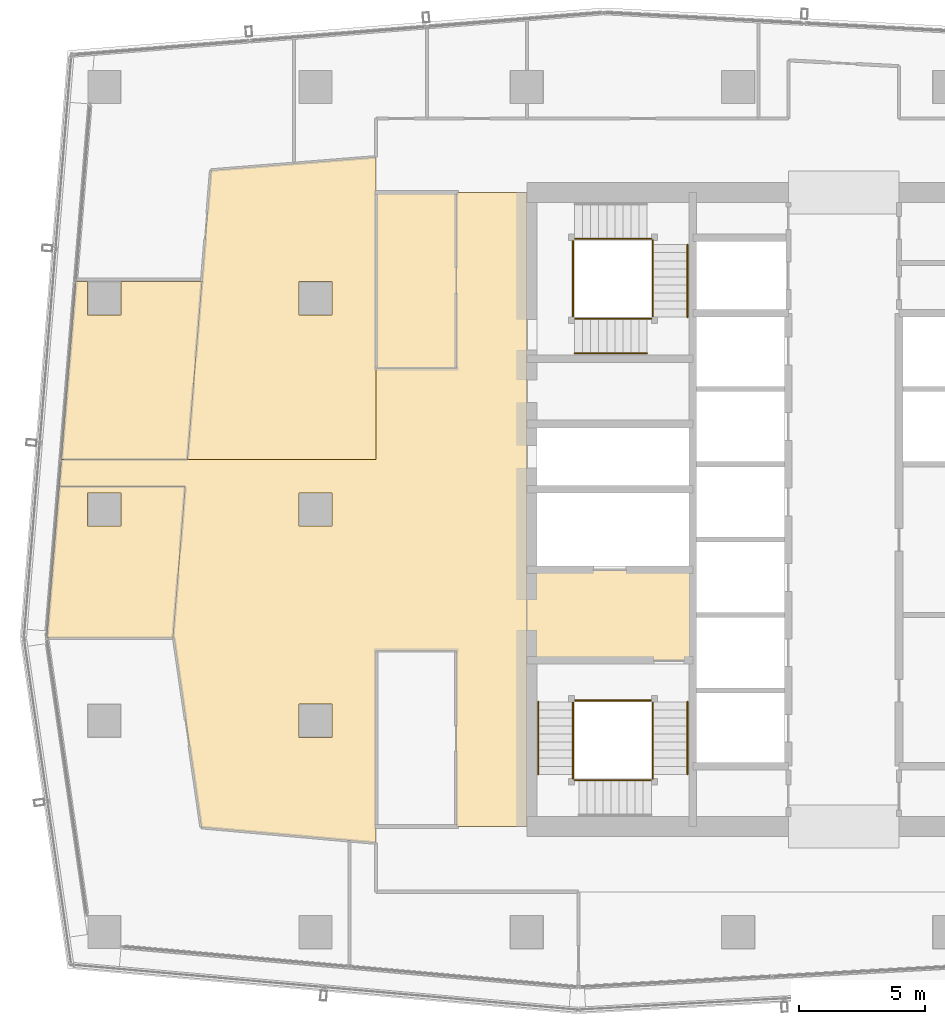
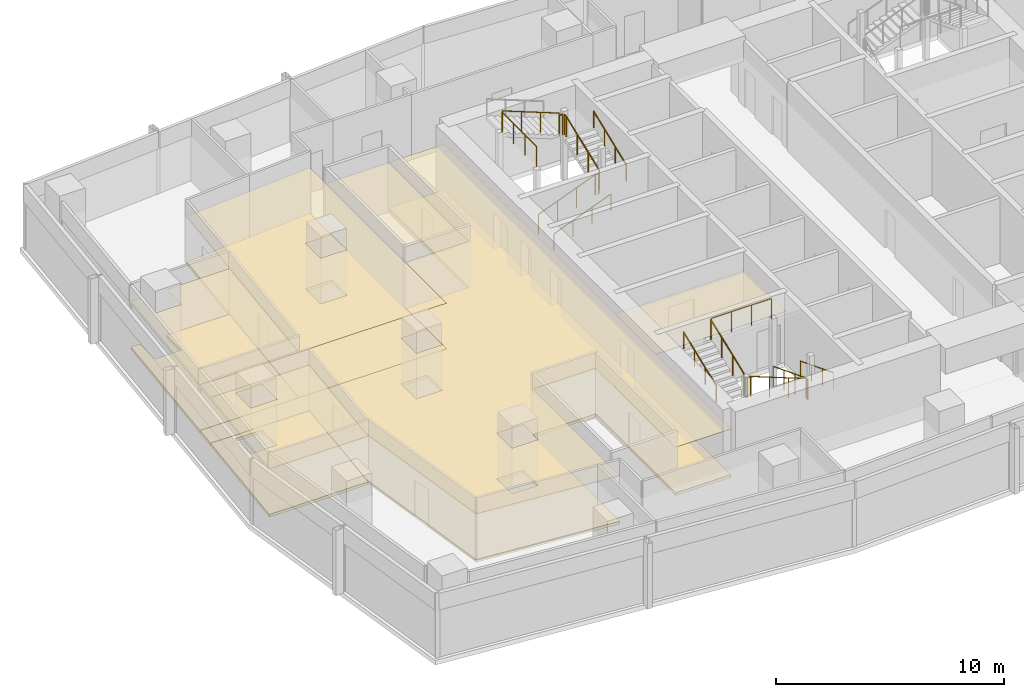
# One storey, part 27 of 29: 18 railings, 10 coverings.
"""IFC4 building model written with IfcOpenShell, lengths in metres."""

from ifc_helpers import new_model, si_unit, direction, frame, origin, origin_2d, place, context, subcontext, project, spatial, polyline, circle, outline, extrude, material, layer, layer_set, type_object, element, save


model = new_model("IFC4")

# Units and contexts
model_context = context("Model", 3, precision=1e-05, world=origin(), true_north=direction((0.0, 1.0)))
body_context = subcontext(model_context, "Body", "Model", "MODEL_VIEW")
ifc_project = project(units=[si_unit("LENGTHUNIT", "METRE"), si_unit("AREAUNIT", "SQUARE_METRE"), si_unit("VOLUMEUNIT", "CUBIC_METRE"), si_unit("PLANEANGLEUNIT", "RADIAN"), si_unit("MASSUNIT", "GRAM", prefix="KILO")], contexts=[model_context])

# Site, building, storey
site_placement = place(None, origin())
site = spatial("IfcSite", under=ifc_project, at=site_placement, CompositionType="ELEMENT")
building_placement = place(site_placement, origin())
building = spatial("IfcBuilding", under=site, at=building_placement, Name="Rekha Terrace Tower", CompositionType="ELEMENT")
storey_placement = place(building_placement, frame((0.0, 0.0, 257.60009765625)))
storey = spatial("IfcBuildingStorey", under=building, at=storey_placement, Name="L65", CompositionType="ELEMENT", Elevation=257.60009765625)

# Coverings
ifc_material_1 = material(Name="Mineral fibre tile in exposed grid", Category="finish")
ifc_layer_1 = layer(ifc_material_1, 0.02001953125)
ifc_layer_set_1 = layer_set([ifc_layer_1], Name="Mineral fibre tile in exposed grid")
covering_type_1 = type_object("IfcCoveringType", Name="CL1 600x1200 office grid ceiling", PredefinedType="CEILING", material=ifc_layer_set_1)
covering_1_placement = place(storey_placement, frame((0.0, 0.0, 2.579833984375)))
element("IfcCovering", 1, at=covering_1_placement, inside=storey, type_object=covering_type_1, Name="Ceiling L65-13", PredefinedType="CEILING", context=body_context, shape_type="SweptSolid", body=[
    extrude(outline(polyline([(7.735107421875, 42.656005859375), (7.26611328125, 42.656005859375), (6.69091796875, 35.590087890625), (11.70703125, 35.590087890625), (12.281982421875, 42.656005859375), (9.06494140625, 42.656005859375), (9.06494140625, 41.3349609375), (7.735107421875, 41.3349609375), (7.735107421875, 42.656005859375)])), origin(), (0.0, 0.0, 1.0), 0.02001953125),
])
covering_2_placement = place(storey_placement, frame((0.0, 0.0, 2.579833984375)))
element("IfcCovering", 2, at=covering_2_placement, inside=storey, type_object=covering_type_1, Name="Ceiling L65-O2", PredefinedType="CEILING", context=body_context, shape_type="SweptSolid", body=[
    extrude(outline(polyline([(12.64306640625, 47.0869140625), (12.281982421875, 42.656005859375), (11.70703125, 35.590087890625), (19.199951171875, 35.590087890625), (19.199951171875, 47.610107421875), (15.93505859375, 47.35009765625), (12.64306640625, 47.0869140625)]), holes=[polyline([(17.465087890625, 41.3349609375), (16.135009765625, 41.3349609375), (16.135009765625, 42.6650390625), (17.465087890625, 42.6650390625), (17.465087890625, 41.3349609375)])]), origin(), (0.0, 0.0, 1.0), 0.02001953125),
])
covering_3_placement = place(storey_placement, frame((0.0, 0.0, 2.579833984375)))
element("IfcCovering", 3, at=covering_3_placement, inside=storey, type_object=covering_type_1, Name="Ceiling L65-14", PredefinedType="CEILING", context=body_context, shape_type="SweptSolid", body=[
    extrude(outline(polyline([(11.1298828125, 28.491943359375), (11.618896484375, 34.509033203125), (6.60302734375, 34.509033203125), (6.113037109375, 28.491943359375), (11.1298828125, 28.491943359375)]), holes=[polyline([(9.06494140625, 34.264892578125), (9.06494140625, 32.93505859375), (7.735107421875, 32.93505859375), (7.735107421875, 34.264892578125), (9.06494140625, 34.264892578125)])]), origin(), (0.0, 0.0, 1.0), 0.02001953125),
])
covering_4_placement = place(storey_placement, frame((0.0, 0.0, 2.579833984375)))
element("IfcCovering", 4, at=covering_4_placement, inside=storey, type_object=covering_type_1, Name="Ceiling L65-O3b", PredefinedType="CEILING", context=body_context, shape_type="SweptSolid", body=[
    extrude(outline(polyline([(11.14501953125, 28.679931640625), (11.173095703125, 28.491943359375), (12.260986328125, 20.9619140625), (18.14990234375, 20.43896484375), (19.199951171875, 20.345947265625), (19.199951171875, 28.0), (22.39990234375, 28.0), (22.39990234375, 21.0), (25.199951171875, 21.0), (25.199951171875, 46.199951171875), (22.39990234375, 46.199951171875), (22.39990234375, 39.199951171875), (19.199951171875, 39.199951171875), (19.199951171875, 35.590087890625), (6.69091796875, 35.590087890625), (6.60302734375, 34.509033203125), (11.618896484375, 34.509033203125), (11.14501953125, 28.679931640625)]), holes=[polyline([(17.465087890625, 25.864990234375), (17.465087890625, 24.534912109375), (16.135009765625, 24.534912109375), (16.135009765625, 25.864990234375), (17.465087890625, 25.864990234375)]), polyline([(17.465087890625, 34.264892578125), (17.465087890625, 32.93505859375), (16.135009765625, 32.93505859375), (16.135009765625, 34.264892578125), (17.465087890625, 34.264892578125)])]), origin(), (0.0, 0.0, 1.0), 0.02001953125),
])
ifc_material_2 = material(Name="Fibre cement board", Category="finish")
ifc_layer_2 = layer(ifc_material_2, 0.014892578125)
ifc_layer_set_2 = layer_set([ifc_layer_2], Name="Fibre cement board")
covering_type_2 = type_object("IfcCoveringType", Name="CL2 moisture-resistant board ceiling", PredefinedType="CEILING", material=ifc_layer_set_2)
covering_5_placement = place(storey_placement, frame((0.0, 0.0, 2.5849609375)))
element("IfcCovering", 5, at=covering_5_placement, inside=storey, type_object=covering_type_2, Name="Ceiling L65-WCF2", PredefinedType="CEILING", context=body_context, shape_type="SweptSolid", body=[
    extrude(outline(polyline([(22.39990234375, 46.199951171875), (19.199951171875, 46.199951171875), (19.199951171875, 39.199951171875), (22.39990234375, 39.199951171875), (22.39990234375, 46.199951171875)])), origin(), (0.0, 0.0, 1.0), 0.014892578125),
])
ifc_material_3 = material(Name="Powder-coated aluminium pan", Category="aluminium")
ifc_layer_3 = layer(ifc_material_3, 0.030029296875)
ifc_layer_set_3 = layer_set([ifc_layer_3], Name="Powder-coated aluminium pan")
covering_type_3 = type_object("IfcCoveringType", Name="CL3 300x1200 metal pan ceiling", PredefinedType="CEILING", material=ifc_layer_set_3)
covering_6_placement = place(storey_placement, frame((0.0, 0.0, 2.56982421875)))
element("IfcCovering", 6, at=covering_6_placement, inside=storey, type_object=covering_type_3, Name="Ceiling L65-FLB1", PredefinedType="CEILING", context=body_context, shape_type="SweptSolid", body=[
    extrude(outline(polyline([(31.800048828125, 31.199951171875), (25.199951171875, 31.199951171875), (25.199951171875, 27.60009765625), (31.800048828125, 27.60009765625), (31.800048828125, 31.199951171875)])), origin(), (0.0, 0.0, 1.0), 0.030029296875),
])

# Railings
ifc_material_4 = material(Name="Stainless steel balustrade", Category="steel")
railing_type_1 = type_object("IfcRailingType", Name="GR1 1100 stair guard", PredefinedType="GUARDRAIL", material=ifc_material_4)
railing_1_placement = place(storey_placement, frame((30.2099609375, 25.949951171875, 0.125)))
element("IfcRailing", 7, at=railing_1_placement, inside=storey, type_object=railing_type_1, Name="Guard ST1 L65 flight 1", PredefinedType="GUARDRAIL", context=body_context, shape_type="SweptSolid", body=[
    extrude(circle(Radius=0.02392578125, at=origin_2d()), frame((0.0, 0.0, 1.076171875), z_axis=(0.0, -0.931452331594, 0.363863372667), x_axis=(1.0, 0.0, 0.0)), (0.0, 0.0, 1.0), 3.091796875),
    extrude(circle(Radius=0.02099609375, at=origin_2d()), origin(), (0.0, 0.0, 1.0), 1.052001953125),
    extrude(circle(Radius=0.02099609375, at=origin_2d()), frame((0.0, -0.9599609375, 0.375)), (0.0, 0.0, 1.0), 1.052001953125),
    extrude(circle(Radius=0.02099609375, at=origin_2d()), frame((0.0, -1.919921875, 0.75)), (0.0, 0.0, 1.0), 1.052001953125),
    extrude(circle(Radius=0.02099609375, at=origin_2d()), frame((0.0, -2.8798828125, 1.125)), (0.0, 0.0, 1.0), 1.052001953125),
])
railing_2_placement = place(storey_placement, frame((30.14990234375, 22.840087890625, 1.375)))
element("IfcRailing", 8, at=railing_2_placement, inside=storey, type_object=railing_type_1, Name="Guard ST1 L65 flight 2", PredefinedType="GUARDRAIL", context=body_context, shape_type="SweptSolid", body=[
    extrude(circle(Radius=0.02392578125, at=origin_2d()), frame((0.0, 0.0, 1.076171875), z_axis=(-0.931452331594, 0.0, 0.363863372667), x_axis=(0.0, -1.0, 0.0)), (0.0, 0.0, 1.0), 3.091796875),
    extrude(circle(Radius=0.02099609375, at=origin_2d()), origin(), (0.0, 0.0, 1.0), 1.052001953125),
    extrude(circle(Radius=0.02099609375, at=origin_2d()), frame((-0.9599609375, 0.0, 0.375)), (0.0, 0.0, 1.0), 1.052001953125),
    extrude(circle(Radius=0.02099609375, at=origin_2d()), frame((-1.919921875, 0.0, 0.75)), (0.0, 0.0, 1.0), 1.052001953125),
    extrude(circle(Radius=0.02099609375, at=origin_2d()), frame((-2.8798828125, 0.0, 1.125)), (0.0, 0.0, 1.0), 1.052001953125),
])
railing_3_placement = place(storey_placement, frame((27.0400390625, 23.070068359375, 2.625)))
element("IfcRailing", 9, at=railing_3_placement, inside=storey, type_object=railing_type_1, Name="Guard ST1 L65 flight 3", PredefinedType="GUARDRAIL", context=body_context, shape_type="SweptSolid", body=[
    extrude(circle(Radius=0.02392578125, at=origin_2d()), frame((0.0, 0.0, 1.076171875), z_axis=(0.0, 0.931452331594, 0.363863372667), x_axis=(-1.0, 0.0, 0.0)), (0.0, 0.0, 1.0), 3.091796875),
    extrude(circle(Radius=0.02099609375, at=origin_2d()), origin(), (0.0, 0.0, 1.0), 1.052001953125),
    extrude(circle(Radius=0.02099609375, at=origin_2d()), frame((0.0, 0.9599609375, 0.375)), (0.0, 0.0, 1.0), 1.052001953125),
    extrude(circle(Radius=0.02099609375, at=origin_2d()), frame((0.0, 1.919921875, 0.75)), (0.0, 0.0, 1.0), 1.052001953125),
    extrude(circle(Radius=0.02099609375, at=origin_2d()), frame((0.0, 2.8798828125, 1.125)), (0.0, 0.0, 1.0), 1.052001953125),
])
railing_4_placement = place(storey_placement, frame((30.2099609375, 23.070068359375, 1.25)))
element("IfcRailing", 10, at=railing_4_placement, inside=storey, type_object=railing_type_1, Name="Guard ST1 L65 landing 1", PredefinedType="GUARDRAIL", context=body_context, shape_type="SweptSolid", body=[
    extrude(circle(Radius=0.02392578125, at=origin_2d()), frame((0.0, 0.0, 1.076171875), z_axis=(0.0, -1.0, 0.0), x_axis=(1.0, 0.0, 0.0)), (0.0, 0.0, 1.0), 0.170166015625),
    extrude(circle(Radius=0.02099609375, at=origin_2d()), origin(), (0.0, 0.0, 1.0), 1.052001953125),
    extrude(circle(Radius=0.02099609375, at=origin_2d()), frame((0.0, -0.170166015625, 0.0)), (0.0, 0.0, 1.0), 1.052001953125),
])
railing_5_placement = place(storey_placement, frame((27.27001953125, 22.840087890625, 2.5)))
element("IfcRailing", 11, at=railing_5_placement, inside=storey, type_object=railing_type_1, Name="Guard ST1 L65 landing 2", PredefinedType="GUARDRAIL", context=body_context, shape_type="SweptSolid", body=[
    extrude(circle(Radius=0.02392578125, at=origin_2d()), frame((0.0, 0.0, 1.076171875), z_axis=(-1.0, 0.0, 0.0), x_axis=(0.0, -1.0, 0.0)), (0.0, 0.0, 1.0), 0.169921875),
    extrude(circle(Radius=0.02099609375, at=origin_2d()), origin(), (0.0, 0.0, 1.0), 1.052001953125),
    extrude(circle(Radius=0.02099609375, at=origin_2d()), frame((-0.169921875, 0.0, 0.0)), (0.0, 0.0, 1.0), 1.052001953125),
])
railing_6_placement = place(storey_placement, frame((27.0400390625, 23.070068359375, 2.5)))
element("IfcRailing", 12, at=railing_6_placement, inside=storey, type_object=railing_type_1, Name="Guard ST1 L65 landing 3", PredefinedType="GUARDRAIL", context=body_context, shape_type="SweptSolid", body=[
    extrude(circle(Radius=0.02392578125, at=origin_2d()), frame((0.0, 0.0, 1.076171875), z_axis=(0.0, -1.0, 0.0), x_axis=(1.0, 0.0, 0.0)), (0.0, 0.0, 1.0), 0.170166015625),
    extrude(circle(Radius=0.02099609375, at=origin_2d()), origin(), (0.0, 0.0, 1.0), 1.052001953125),
    extrude(circle(Radius=0.02099609375, at=origin_2d()), frame((0.0, -0.170166015625, 0.0)), (0.0, 0.0, 1.0), 1.052001953125),
])
railing_7_placement = place(storey_placement, frame((30.14990234375, 26.010009765625, 3.75)))
element("IfcRailing", 13, at=railing_7_placement, inside=storey, type_object=railing_type_1, Name="Guard ST1 L65 landing 4", PredefinedType="GUARDRAIL", context=body_context, shape_type="SweptSolid", body=[
    extrude(circle(Radius=0.02392578125, at=origin_2d()), frame((0.0, 0.0, 1.076171875), z_axis=(-1.0, 0.0, 0.0), x_axis=(0.0, -1.0, 0.0)), (0.0, 0.0, 1.0), 3.0498046875),
    extrude(circle(Radius=0.02099609375, at=origin_2d()), origin(), (0.0, 0.0, 1.0), 1.052001953125),
    extrude(circle(Radius=0.02099609375, at=origin_2d()), frame((-1.0166015625, 0.0, 0.0)), (0.0, 0.0, 1.0), 1.052001953125),
    extrude(circle(Radius=0.02099609375, at=origin_2d()), frame((-2.033203125, 0.0, 0.0)), (0.0, 0.0, 1.0), 1.052001953125),
    extrude(circle(Radius=0.02099609375, at=origin_2d()), frame((-3.0498046875, 0.0, 0.0)), (0.0, 0.0, 1.0), 1.052001953125),
])
railing_8_placement = place(storey_placement, frame((27.10009765625, 41.18994140625, 0.125)))
element("IfcRailing", 14, at=railing_8_placement, inside=storey, type_object=railing_type_1, Name="Guard ST4 L65 flight 1", PredefinedType="GUARDRAIL", context=body_context, shape_type="SweptSolid", body=[
    extrude(circle(Radius=0.02392578125, at=origin_2d()), frame((0.0, 0.0, 1.076171875), z_axis=(0.931452331594, 0.0, 0.363863372667), x_axis=(0.0, 1.0, 0.0)), (0.0, 0.0, 1.0), 3.091796875),
    extrude(circle(Radius=0.02099609375, at=origin_2d()), origin(), (0.0, 0.0, 1.0), 1.052001953125),
    extrude(circle(Radius=0.02099609375, at=origin_2d()), frame((0.9599609375, 0.0, 0.375)), (0.0, 0.0, 1.0), 1.052001953125),
    extrude(circle(Radius=0.02099609375, at=origin_2d()), frame((1.919921875, 0.0, 0.75)), (0.0, 0.0, 1.0), 1.052001953125),
    extrude(circle(Radius=0.02099609375, at=origin_2d()), frame((2.8798828125, 0.0, 1.125)), (0.0, 0.0, 1.0), 1.052001953125),
])
railing_9_placement = place(storey_placement, frame((30.2099609375, 41.25, 1.375)))
element("IfcRailing", 15, at=railing_9_placement, inside=storey, type_object=railing_type_1, Name="Guard ST4 L65 flight 2", PredefinedType="GUARDRAIL", context=body_context, shape_type="SweptSolid", body=[
    extrude(circle(Radius=0.02392578125, at=origin_2d()), frame((0.0, 0.0, 1.076171875), z_axis=(0.0, 0.931452331594, 0.363863372667), x_axis=(-1.0, 0.0, 0.0)), (0.0, 0.0, 1.0), 3.091796875),
    extrude(circle(Radius=0.02099609375, at=origin_2d()), origin(), (0.0, 0.0, 1.0), 1.052001953125),
    extrude(circle(Radius=0.02099609375, at=origin_2d()), frame((0.0, 0.9599609375, 0.375)), (0.0, 0.0, 1.0), 1.052001953125),
    extrude(circle(Radius=0.02099609375, at=origin_2d()), frame((0.0, 1.919921875, 0.75)), (0.0, 0.0, 1.0), 1.052001953125),
    extrude(circle(Radius=0.02099609375, at=origin_2d()), frame((0.0, 2.8798828125, 1.125)), (0.0, 0.0, 1.0), 1.052001953125),
])
railing_10_placement = place(storey_placement, frame((29.97998046875, 44.360107421875, 2.625)))
element("IfcRailing", 16, at=railing_10_placement, inside=storey, type_object=railing_type_1, Name="Guard ST4 L65 flight 3", PredefinedType="GUARDRAIL", context=body_context, shape_type="SweptSolid", body=[
    extrude(circle(Radius=0.02392578125, at=origin_2d()), frame((0.0, 0.0, 1.076171875), z_axis=(-0.931452331594, 0.0, 0.363863372667), x_axis=(0.0, -1.0, 0.0)), (0.0, 0.0, 1.0), 3.091796875),
    extrude(circle(Radius=0.02099609375, at=origin_2d()), origin(), (0.0, 0.0, 1.0), 1.052001953125),
    extrude(circle(Radius=0.02099609375, at=origin_2d()), frame((-0.9599609375, 0.0, 0.375)), (0.0, 0.0, 1.0), 1.052001953125),
    extrude(circle(Radius=0.02099609375, at=origin_2d()), frame((-1.919921875, 0.0, 0.75)), (0.0, 0.0, 1.0), 1.052001953125),
    extrude(circle(Radius=0.02099609375, at=origin_2d()), frame((-2.8798828125, 0.0, 1.125)), (0.0, 0.0, 1.0), 1.052001953125),
])
railing_11_placement = place(storey_placement, frame((29.97998046875, 41.18994140625, 1.25)))
element("IfcRailing", 17, at=railing_11_placement, inside=storey, type_object=railing_type_1, Name="Guard ST4 L65 landing 1", PredefinedType="GUARDRAIL", context=body_context, shape_type="SweptSolid", body=[
    extrude(circle(Radius=0.02392578125, at=origin_2d()), frame((0.0, 0.0, 1.076171875), z_axis=(1.0, 0.0, 0.0), x_axis=(0.0, 1.0, 0.0)), (0.0, 0.0, 1.0), 0.169921875),
    extrude(circle(Radius=0.02099609375, at=origin_2d()), origin(), (0.0, 0.0, 1.0), 1.052001953125),
    extrude(circle(Radius=0.02099609375, at=origin_2d()), frame((0.169921875, 0.0, 0.0)), (0.0, 0.0, 1.0), 1.052001953125),
])
railing_12_placement = place(storey_placement, frame((30.2099609375, 44.1298828125, 2.5)))
element("IfcRailing", 18, at=railing_12_placement, inside=storey, type_object=railing_type_1, Name="Guard ST4 L65 landing 2", PredefinedType="GUARDRAIL", context=body_context, shape_type="SweptSolid", body=[
    extrude(circle(Radius=0.02392578125, at=origin_2d()), frame((0.0, 0.0, 1.076171875), z_axis=(0.0, 1.0, 0.0), x_axis=(-1.0, 0.0, 0.0)), (0.0, 0.0, 1.0), 0.170166015625),
    extrude(circle(Radius=0.02099609375, at=origin_2d()), origin(), (0.0, 0.0, 1.0), 1.052001953125),
    extrude(circle(Radius=0.02099609375, at=origin_2d()), frame((0.0, 0.170166015625, 0.0)), (0.0, 0.0, 1.0), 1.052001953125),
])
railing_13_placement = place(storey_placement, frame((29.97998046875, 44.360107421875, 2.5)))
element("IfcRailing", 19, at=railing_13_placement, inside=storey, type_object=railing_type_1, Name="Guard ST4 L65 landing 3", PredefinedType="GUARDRAIL", context=body_context, shape_type="SweptSolid", body=[
    extrude(circle(Radius=0.02392578125, at=origin_2d()), frame((0.0, 0.0, 1.076171875), z_axis=(1.0, 0.0, 0.0), x_axis=(0.0, 1.0, 0.0)), (0.0, 0.0, 1.0), 0.169921875),
    extrude(circle(Radius=0.02099609375, at=origin_2d()), origin(), (0.0, 0.0, 1.0), 1.052001953125),
    extrude(circle(Radius=0.02099609375, at=origin_2d()), frame((0.169921875, 0.0, 0.0)), (0.0, 0.0, 1.0), 1.052001953125),
])
railing_14_placement = place(storey_placement, frame((27.0400390625, 41.25, 3.75)))
element("IfcRailing", 20, at=railing_14_placement, inside=storey, type_object=railing_type_1, Name="Guard ST4 L65 landing 4", PredefinedType="GUARDRAIL", context=body_context, shape_type="SweptSolid", body=[
    extrude(circle(Radius=0.02392578125, at=origin_2d()), frame((0.0, 0.0, 1.076171875), z_axis=(0.0, 1.0, 0.0), x_axis=(-1.0, 0.0, 0.0)), (0.0, 0.0, 1.0), 3.050048828125),
    extrude(circle(Radius=0.02099609375, at=origin_2d()), origin(), (0.0, 0.0, 1.0), 1.052001953125),
    extrude(circle(Radius=0.02099609375, at=origin_2d()), frame((0.0, 1.0166015625, 0.0)), (0.0, 0.0, 1.0), 1.052001953125),
    extrude(circle(Radius=0.02099609375, at=origin_2d()), frame((0.0, 2.033447265625, 0.0)), (0.0, 0.0, 1.0), 1.052001953125),
    extrude(circle(Radius=0.02099609375, at=origin_2d()), frame((0.0, 3.050048828125, 0.0)), (0.0, 0.0, 1.0), 1.052001953125),
])
ifc_material_5 = material(Name="Stainless steel tube", Category="steel")
railing_type_2 = type_object("IfcRailingType", Name="HR1 900 stair handrail", PredefinedType="HANDRAIL", material=ifc_material_5)
railing_15_placement = place(storey_placement, frame((31.590087890625, 25.949951171875, 0.125)))
element("IfcRailing", 21, at=railing_15_placement, inside=storey, type_object=railing_type_2, Name="Handrail ST1 L65 flight 1", PredefinedType="HANDRAIL", context=body_context, shape_type="SweptSolid", body=[
    extrude(circle(Radius=0.02392578125, at=origin_2d()), frame((0.0, 0.0, 0.8759765625), z_axis=(0.0, -0.931452331594, 0.363863372667), x_axis=(1.0, 0.0, 0.0)), (0.0, 0.0, 1.0), 3.091796875),
    extrude(circle(Radius=0.02099609375, at=origin_2d()), origin(), (0.0, 0.0, 1.0), 0.851806640625),
    extrude(circle(Radius=0.02099609375, at=origin_2d()), frame((0.0, -0.9599609375, 0.375)), (0.0, 0.0, 1.0), 0.851806640625),
    extrude(circle(Radius=0.02099609375, at=origin_2d()), frame((0.0, -1.919921875, 0.75)), (0.0, 0.0, 1.0), 0.851806640625),
    extrude(circle(Radius=0.02099609375, at=origin_2d()), frame((0.0, -2.8798828125, 1.125)), (0.0, 0.0, 1.0), 0.851806640625),
])
railing_16_placement = place(storey_placement, frame((25.659912109375, 23.070068359375, 2.625)))
element("IfcRailing", 22, at=railing_16_placement, inside=storey, type_object=railing_type_2, Name="Handrail ST1 L65 flight 3", PredefinedType="HANDRAIL", context=body_context, shape_type="SweptSolid", body=[
    extrude(circle(Radius=0.02392578125, at=origin_2d()), frame((0.0, 0.0, 0.8759765625), z_axis=(0.0, 0.931452331594, 0.363863372667), x_axis=(-1.0, 0.0, 0.0)), (0.0, 0.0, 1.0), 3.091796875),
    extrude(circle(Radius=0.02099609375, at=origin_2d()), origin(), (0.0, 0.0, 1.0), 0.851806640625),
    extrude(circle(Radius=0.02099609375, at=origin_2d()), frame((0.0, 0.9599609375, 0.375)), (0.0, 0.0, 1.0), 0.851806640625),
    extrude(circle(Radius=0.02099609375, at=origin_2d()), frame((0.0, 1.919921875, 0.75)), (0.0, 0.0, 1.0), 0.851806640625),
    extrude(circle(Radius=0.02099609375, at=origin_2d()), frame((0.0, 2.8798828125, 1.125)), (0.0, 0.0, 1.0), 0.851806640625),
])
railing_17_placement = place(storey_placement, frame((27.10009765625, 39.81005859375, 0.125)))
element("IfcRailing", 23, at=railing_17_placement, inside=storey, type_object=railing_type_2, Name="Handrail ST4 L65 flight 1", PredefinedType="HANDRAIL", context=body_context, shape_type="SweptSolid", body=[
    extrude(circle(Radius=0.02392578125, at=origin_2d()), frame((0.0, 0.0, 0.8759765625), z_axis=(0.931452331594, 0.0, 0.363863372667), x_axis=(0.0, 1.0, 0.0)), (0.0, 0.0, 1.0), 3.091796875),
    extrude(circle(Radius=0.02099609375, at=origin_2d()), origin(), (0.0, 0.0, 1.0), 0.851806640625),
    extrude(circle(Radius=0.02099609375, at=origin_2d()), frame((0.9599609375, 0.0, 0.375)), (0.0, 0.0, 1.0), 0.851806640625),
    extrude(circle(Radius=0.02099609375, at=origin_2d()), frame((1.919921875, 0.0, 0.75)), (0.0, 0.0, 1.0), 0.851806640625),
    extrude(circle(Radius=0.02099609375, at=origin_2d()), frame((2.8798828125, 0.0, 1.125)), (0.0, 0.0, 1.0), 0.851806640625),
])
railing_18_placement = place(storey_placement, frame((31.590087890625, 41.25, 1.375)))
element("IfcRailing", 24, at=railing_18_placement, inside=storey, type_object=railing_type_2, Name="Handrail ST4 L65 flight 2", PredefinedType="HANDRAIL", context=body_context, shape_type="SweptSolid", body=[
    extrude(circle(Radius=0.02392578125, at=origin_2d()), frame((0.0, 0.0, 0.8759765625), z_axis=(0.0, 0.931452331594, 0.363863372667), x_axis=(-1.0, 0.0, 0.0)), (0.0, 0.0, 1.0), 3.091796875),
    extrude(circle(Radius=0.02099609375, at=origin_2d()), origin(), (0.0, 0.0, 1.0), 0.851806640625),
    extrude(circle(Radius=0.02099609375, at=origin_2d()), frame((0.0, 0.9599609375, 0.375)), (0.0, 0.0, 1.0), 0.851806640625),
    extrude(circle(Radius=0.02099609375, at=origin_2d()), frame((0.0, 1.919921875, 0.75)), (0.0, 0.0, 1.0), 0.851806640625),
    extrude(circle(Radius=0.02099609375, at=origin_2d()), frame((0.0, 2.8798828125, 1.125)), (0.0, 0.0, 1.0), 0.851806640625),
])

# Coverings
ifc_material_6 = material(Name="Calcium sulphate panels on steel pedestals", Category="steel")
ifc_layer_4 = layer(ifc_material_6, 0.14990234375)
ifc_layer_set_4 = layer_set([ifc_layer_4], Name="Calcium sulphate panels on steel pedestals")
covering_type_4 = type_object("IfcCoveringType", Name="RF1 150 raised access floor", PredefinedType="FLOORING", material=ifc_layer_set_4)
covering_7_placement = place(storey_placement, origin())
element("IfcCovering", 25, at=covering_7_placement, inside=storey, type_object=covering_type_4, Name="Raised floor L65-13", PredefinedType="FLOORING", context=body_context, shape_type="SweptSolid", body=[
    extrude(outline(polyline([(7.735107421875, 42.656005859375), (7.26611328125, 42.656005859375), (6.69091796875, 35.590087890625), (11.70703125, 35.590087890625), (12.281982421875, 42.656005859375), (9.06494140625, 42.656005859375), (9.06494140625, 41.3349609375), (7.735107421875, 41.3349609375), (7.735107421875, 42.656005859375)])), origin(), (0.0, 0.0, 1.0), 0.14990234375),
])
covering_8_placement = place(storey_placement, origin())
element("IfcCovering", 26, at=covering_8_placement, inside=storey, type_object=covering_type_4, Name="Raised floor L65-O2", PredefinedType="FLOORING", context=body_context, shape_type="SweptSolid", body=[
    extrude(outline(polyline([(12.64306640625, 47.0869140625), (12.281982421875, 42.656005859375), (11.70703125, 35.590087890625), (19.199951171875, 35.590087890625), (19.199951171875, 47.610107421875), (15.93505859375, 47.35009765625), (12.64306640625, 47.0869140625)]), holes=[polyline([(17.465087890625, 41.3349609375), (16.135009765625, 41.3349609375), (16.135009765625, 42.6650390625), (17.465087890625, 42.6650390625), (17.465087890625, 41.3349609375)])]), origin(), (0.0, 0.0, 1.0), 0.14990234375),
])
covering_9_placement = place(storey_placement, origin())
element("IfcCovering", 27, at=covering_9_placement, inside=storey, type_object=covering_type_4, Name="Raised floor L65-14", PredefinedType="FLOORING", context=body_context, shape_type="SweptSolid", body=[
    extrude(outline(polyline([(11.1298828125, 28.491943359375), (11.618896484375, 34.509033203125), (6.60302734375, 34.509033203125), (6.113037109375, 28.491943359375), (11.1298828125, 28.491943359375)]), holes=[polyline([(9.06494140625, 34.264892578125), (9.06494140625, 32.93505859375), (7.735107421875, 32.93505859375), (7.735107421875, 34.264892578125), (9.06494140625, 34.264892578125)])]), origin(), (0.0, 0.0, 1.0), 0.14990234375),
])
covering_10_placement = place(storey_placement, origin())
element("IfcCovering", 28, at=covering_10_placement, inside=storey, type_object=covering_type_4, Name="Raised floor L65-O3b", PredefinedType="FLOORING", context=body_context, shape_type="SweptSolid", body=[
    extrude(outline(polyline([(11.14501953125, 28.679931640625), (11.173095703125, 28.491943359375), (12.260986328125, 20.9619140625), (18.14990234375, 20.43896484375), (19.199951171875, 20.345947265625), (19.199951171875, 28.0), (22.39990234375, 28.0), (22.39990234375, 21.0), (25.199951171875, 21.0), (25.199951171875, 46.199951171875), (22.39990234375, 46.199951171875), (22.39990234375, 39.199951171875), (19.199951171875, 39.199951171875), (19.199951171875, 35.590087890625), (6.69091796875, 35.590087890625), (6.60302734375, 34.509033203125), (11.618896484375, 34.509033203125), (11.14501953125, 28.679931640625)]), holes=[polyline([(17.465087890625, 25.864990234375), (17.465087890625, 24.534912109375), (16.135009765625, 24.534912109375), (16.135009765625, 25.864990234375), (17.465087890625, 25.864990234375)]), polyline([(17.465087890625, 34.264892578125), (17.465087890625, 32.93505859375), (16.135009765625, 32.93505859375), (16.135009765625, 34.264892578125), (17.465087890625, 34.264892578125)])]), origin(), (0.0, 0.0, 1.0), 0.14990234375),
])

save(model, "model.ifc")
